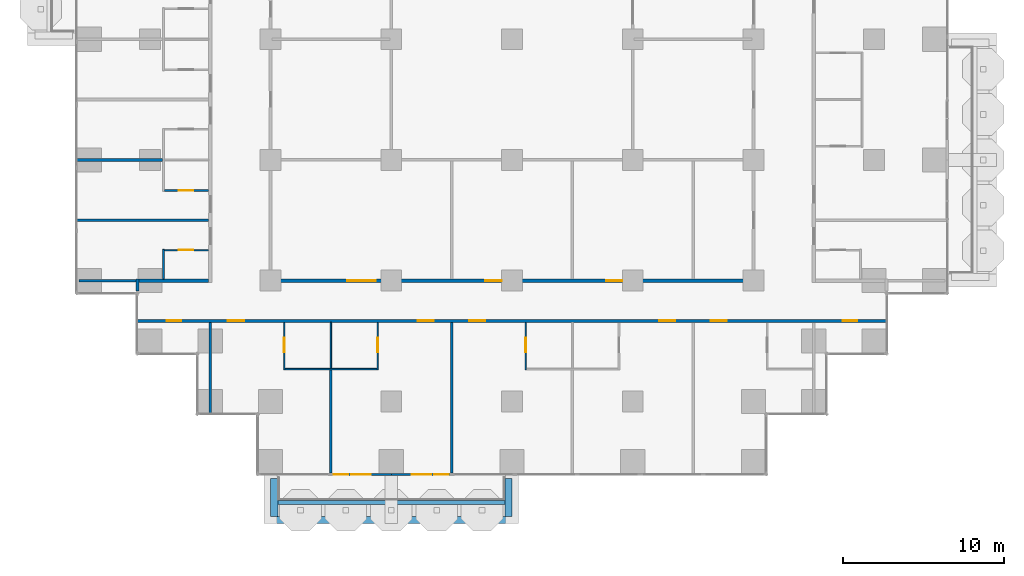
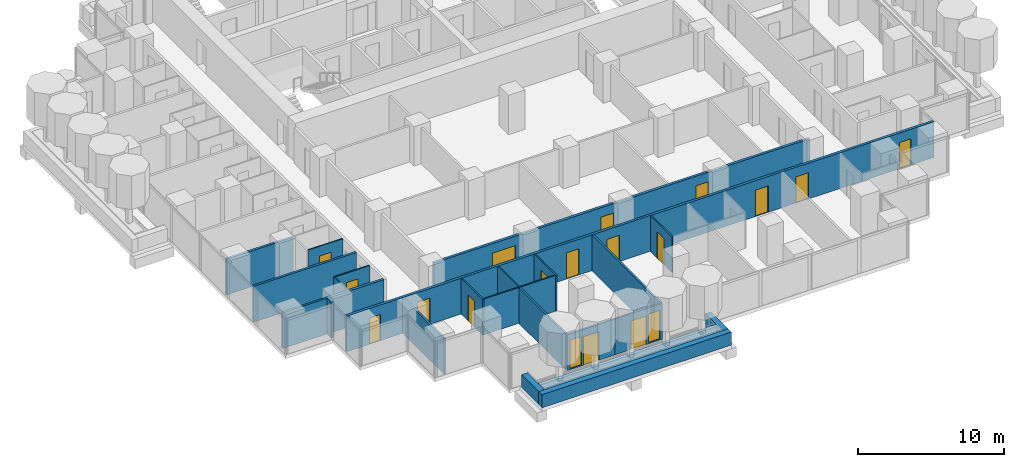
# One storey, part 10 of 18: 24 walls, 17 doors, 2 windows, 19 openings.
"""IFC4 building model written with IfcOpenShell, lengths in metres."""

from ifc_helpers import new_model, si_unit, direction, frame, frame_2d, origin, place, context, subcontext, project, spatial, rectangle, extrude, material, layer, layer_set, type_object, element, fill, save


model = new_model("IFC4")

# Units and contexts
model_context = context("Model", 3, precision=1e-05, world=origin(), true_north=direction((0.0, 1.0)))
body_context = subcontext(model_context, "Body", "Model", "MODEL_VIEW")
ifc_project = project(units=[si_unit("LENGTHUNIT", "METRE"), si_unit("AREAUNIT", "SQUARE_METRE"), si_unit("VOLUMEUNIT", "CUBIC_METRE"), si_unit("PLANEANGLEUNIT", "RADIAN"), si_unit("MASSUNIT", "GRAM", prefix="KILO")], contexts=[model_context])

# Site, building, storey
site_placement = place(None, origin())
site = spatial("IfcSite", under=ifc_project, at=site_placement, CompositionType="ELEMENT")
building_placement = place(site_placement, origin())
building = spatial("IfcBuilding", under=site, at=building_placement, Name="Pilkhan Gate Tower", CompositionType="ELEMENT")
storey_placement = place(building_placement, frame((0.0, 0.0, 75.800048828125)))
storey = spatial("IfcBuildingStorey", under=building, at=storey_placement, Name="L17", CompositionType="ELEMENT", Elevation=75.800048828125)

# Walls
ifc_material_1 = material(Name="Dense blockwork", Category="masonry")
ifc_layer_1 = layer(ifc_material_1, 0.175048828125)
ifc_layer_set_1 = layer_set([ifc_layer_1], Name="Acoustic party wall PW175")
wall_type_1 = type_object("IfcWallType", Name="Acoustic party wall PW175", PredefinedType="PARTITIONING", material=ifc_layer_set_1)
wall_1_placement = place(storey_placement, frame((47.985107421875, 56.25, 0.0), z_axis=(0.0, 0.0, 1.0), x_axis=(1.0, 0.0, 0.0)))
element("IfcWall", 1, at=wall_1_placement, inside=storey, type_object=wall_type_1, Name="Partition L17", PredefinedType="PARTITIONING", context=body_context, shape_type="SweptSolid", body=[
    extrude(rectangle(XDim=8.164794921875, YDim=0.175048828125, at=frame_2d((4.08251953125, 0.0))), origin(), (0.0, 0.0, 1.0), 3.0),
])
wall_2_placement = place(storey_placement, frame((47.985107421875, 60.0, 0.0), z_axis=(0.0, 0.0, 1.0), x_axis=(1.0, 0.0, 0.0)))
element("IfcWall", 2, at=wall_2_placement, inside=storey, type_object=wall_type_1, Name="Partition L17", PredefinedType="PARTITIONING", context=body_context, shape_type="SweptSolid", body=[
    extrude(rectangle(XDim=5.31494140625, YDim=0.175048828125, at=frame_2d((2.657470703125, 0.0))), origin(), (0.0, 0.0, 1.0), 3.0),
])
ifc_material_2 = material(Name="Concrete C40/50", Category="concrete")
ifc_layer_2 = layer(ifc_material_2, 0.25)
ifc_layer_set_2 = layer_set([ifc_layer_2], Name="Balcony planter BP250")
wall_type_2 = type_object("IfcWallType", Name="Balcony planter BP250", PredefinedType="USERDEFINED", material=ifc_layer_set_2)
wall_3_placement = place(storey_placement, frame((60.449951171875, 38.72509765625, 0.0), z_axis=(0.0, 0.0, 1.0), x_axis=(1.0, 0.0, 0.0)))
element("IfcWall", 3, at=wall_3_placement, inside=storey, type_object=wall_type_2, Name="Balcony planter L17 S", ObjectType="BALCONY PLANTER", PredefinedType="USERDEFINED", context=body_context, shape_type="SweptSolid", body=[
    extrude(rectangle(XDim=14.10009765625, YDim=0.25, at=frame_2d((7.050048828125, 0.0))), origin(), (0.0, 0.0, 1.0), 1.0),
])
ifc_material_3 = material(Name="Board-marked Concrete C40/50", Category="concrete")
ifc_layer_3 = layer(ifc_material_3, 0.449951171875)
ifc_layer_set_3 = layer_set([ifc_layer_3], Name="Balcony planter lip BL450")
wall_type_3 = type_object("IfcWallType", Name="Balcony planter lip BL450", PredefinedType="USERDEFINED", material=ifc_layer_set_3)
wall_4_placement = place(storey_placement, frame((60.0, 37.625, 0.0), z_axis=(0.0, 0.0, 1.0), x_axis=(1.0, 0.0, 0.0)))
element("IfcWall", 4, at=wall_4_placement, inside=storey, type_object=wall_type_3, Name="Balcony planter L17 S", ObjectType="BALCONY PLANTER", PredefinedType="USERDEFINED", context=body_context, shape_type="SweptSolid", body=[
    extrude(rectangle(XDim=15.0, YDim=0.449951171875, at=frame_2d((7.5, 0.0))), origin(), (0.0, 0.0, 1.0), 1.099853515625),
])
for number, where, z_axis, x_axis, name in (
    (5, (60.22509765625, 40.199951171875, 0.0), (0.0, 0.0, 1.0), (0.0, -1.0, 0.0), "Balcony planter L17 S"),
    (6, (74.77490234375, 40.199951171875, 0.0), (0.0, 0.0, 1.0), (0.0, -1.0, 0.0), "Balcony planter L17 S"),
):
    element("IfcWall", number, at=place(storey_placement, frame(where, z_axis=z_axis, x_axis=x_axis)), inside=storey, type_object=wall_type_3, Name=name, ObjectType="BALCONY PLANTER", PredefinedType="USERDEFINED", context=body_context, shape_type="SweptSolid", body=[
        extrude(rectangle(XDim=2.349853515625, YDim=0.449951171875, at=frame_2d((1.1748046875, 0.0))), origin(), (0.0, 0.0, 1.0), 1.099853515625),
    ])

# Wall, openings, doors
ifc_layer_4 = layer(ifc_material_1, 0.199951171875)
ifc_layer_set_4 = layer_set([ifc_layer_4], Name="Corridor wall FW200")
wall_type_4 = type_object("IfcWallType", Name="Corridor wall FW200", PredefinedType="PARTITIONING", material=ifc_layer_set_4)
wall_5_placement = place(storey_placement, frame((51.735107421875, 50.0, 0.0), z_axis=(0.0, 0.0, 1.0), x_axis=(1.0, 0.0, 0.0)))
wall_5 = element("IfcWall", 7, at=wall_5_placement, inside=storey, type_object=wall_type_4, Name="Partition L17", PredefinedType="PARTITIONING", context=body_context, shape_type="SweptSolid", body=[
    extrude(rectangle(XDim=46.52978515625, YDim=0.199951171875, at=frame_2d((23.264892578125, 0.0))), origin(), (0.0, 0.0, 1.0), 3.0),
])
opening_1_placement = place(wall_5_placement, frame((5.614990234375, 0.0, 0.0)))
opening_1 = element("IfcOpeningElement", 8, at=opening_1_placement, cuts=wall_5, Name="Opening L17-06", PredefinedType="OPENING", context=body_context, shape_type="SweptSolid", body=[
    extrude(rectangle(XDim=1.0, YDim=2.199951171875, at=frame_2d((0.5, 1.10009765625))), frame((0.0, 0.10986328125, 0.0), z_axis=(0.0, -1.0, 0.0), x_axis=(1.0, 0.0, 0.0)), (0.0, 0.0, 1.0), 0.219970703125),
])
opening_2_placement = place(wall_5_placement, frame((17.4150390625, 0.0, 0.0)))
opening_2 = element("IfcOpeningElement", 9, at=opening_2_placement, cuts=wall_5, Name="Opening L17-08", PredefinedType="OPENING", context=body_context, shape_type="SweptSolid", body=[
    extrude(rectangle(XDim=1.0, YDim=2.199951171875, at=frame_2d((0.5, 1.10009765625))), frame((0.0, 0.10986328125, 0.0), z_axis=(0.0, -1.0, 0.0), x_axis=(1.0, 0.0, 0.0)), (0.0, 0.0, 1.0), 0.219970703125),
])
opening_3_placement = place(wall_5_placement, frame((20.614990234375, 0.0, 0.0)))
opening_3 = element("IfcOpeningElement", 10, at=opening_3_placement, cuts=wall_5, Name="Opening L17-10", PredefinedType="OPENING", context=body_context, shape_type="SweptSolid", body=[
    extrude(rectangle(XDim=1.0, YDim=2.199951171875, at=frame_2d((0.5, 1.10009765625))), frame((0.0, 0.10986328125, 0.0), z_axis=(0.0, -1.0, 0.0), x_axis=(1.0, 0.0, 0.0)), (0.0, 0.0, 1.0), 0.219970703125),
])
opening_4_placement = place(wall_5_placement, frame((32.4150390625, 0.0, 0.0)))
opening_4 = element("IfcOpeningElement", 11, at=opening_4_placement, cuts=wall_5, Name="Opening L17-12", PredefinedType="OPENING", context=body_context, shape_type="SweptSolid", body=[
    extrude(rectangle(XDim=1.0, YDim=2.199951171875, at=frame_2d((0.5, 1.10009765625))), frame((0.0, 0.10986328125, 0.0), z_axis=(0.0, -1.0, 0.0), x_axis=(1.0, 0.0, 0.0)), (0.0, 0.0, 1.0), 0.219970703125),
])
opening_5_placement = place(wall_5_placement, frame((35.614990234375, 0.0, 0.0)))
opening_5 = element("IfcOpeningElement", 12, at=opening_5_placement, cuts=wall_5, Name="Opening L17-14", PredefinedType="OPENING", context=body_context, shape_type="SweptSolid", body=[
    extrude(rectangle(XDim=1.0, YDim=2.199951171875, at=frame_2d((0.5, 1.10009765625))), frame((0.0, 0.10986328125, 0.0), z_axis=(0.0, -1.0, 0.0), x_axis=(1.0, 0.0, 0.0)), (0.0, 0.0, 1.0), 0.219970703125),
])
opening_6_placement = place(wall_5_placement, frame((1.800048828125, 0.0, 0.0)))
opening_6 = element("IfcOpeningElement", 13, at=opening_6_placement, cuts=wall_5, Name="Opening L17-48", PredefinedType="OPENING", context=body_context, shape_type="SweptSolid", body=[
    extrude(rectangle(XDim=0.89990234375, YDim=2.199951171875, at=frame_2d((0.449951171875, 1.10009765625))), frame((0.0, 0.10986328125, 0.0), z_axis=(0.0, -1.0, 0.0), x_axis=(1.0, 0.0, 0.0)), (0.0, 0.0, 1.0), 0.219970703125),
])
opening_7_placement = place(wall_5_placement, frame((43.81494140625, 0.0, 0.0)))
opening_7 = element("IfcOpeningElement", 14, at=opening_7_placement, cuts=wall_5, Name="Opening L17-49", PredefinedType="OPENING", context=body_context, shape_type="SweptSolid", body=[
    extrude(rectangle(XDim=0.89990234375, YDim=2.199951171875, at=frame_2d((0.449951171875, 1.10009765625))), frame((0.0, 0.10986328125, 0.0), z_axis=(0.0, -1.0, 0.0), x_axis=(1.0, 0.0, 0.0)), (0.0, 0.0, 1.0), 0.219970703125),
])
ifc_material_4 = material(Name="Timber flush door, 30 minute fire resisting", Category="wood")
door_type_1 = type_object("IfcDoorType", Name="Guest room door D01 1000x2200", OperationType="SINGLE_SWING_LEFT", PredefinedType="DOOR", material=ifc_material_4)
door_1_placement = place(opening_1_placement, origin())
door_1 = element("IfcDoor", 15, at=door_1_placement, inside=storey, type_object=door_type_1, Name="Guest room door", OperationType="SINGLE_SWING_LEFT", OverallHeight=2.199951171875, OverallWidth=1.0, PredefinedType="DOOR", context=body_context, shape_type="SweptSolid", body=[
    extrude(rectangle(XDim=1.0, YDim=2.199951171875, at=frame_2d((0.5, 1.10009765625))), frame((0.0, 0.02490234375, 0.0), z_axis=(0.0, -1.0, 0.0), x_axis=(1.0, 0.0, 0.0)), (0.0, 0.0, 1.0), 0.050048828125),
])
fill(opening_1, door_1)
door_2_placement = place(opening_2_placement, origin())
door_2 = element("IfcDoor", 16, at=door_2_placement, inside=storey, type_object=door_type_1, Name="Guest room door", OperationType="SINGLE_SWING_LEFT", OverallHeight=2.199951171875, OverallWidth=1.0, PredefinedType="DOOR", context=body_context, shape_type="SweptSolid", body=[
    extrude(rectangle(XDim=1.0, YDim=2.199951171875, at=frame_2d((0.5, 1.10009765625))), frame((0.0, 0.02490234375, 0.0), z_axis=(0.0, -1.0, 0.0), x_axis=(1.0, 0.0, 0.0)), (0.0, 0.0, 1.0), 0.050048828125),
])
fill(opening_2, door_2)
door_3_placement = place(opening_3_placement, origin())
door_3 = element("IfcDoor", 17, at=door_3_placement, inside=storey, type_object=door_type_1, Name="Guest room door", OperationType="SINGLE_SWING_LEFT", OverallHeight=2.199951171875, OverallWidth=1.0, PredefinedType="DOOR", context=body_context, shape_type="SweptSolid", body=[
    extrude(rectangle(XDim=1.0, YDim=2.199951171875, at=frame_2d((0.5, 1.10009765625))), frame((0.0, 0.02490234375, 0.0), z_axis=(0.0, -1.0, 0.0), x_axis=(1.0, 0.0, 0.0)), (0.0, 0.0, 1.0), 0.050048828125),
])
fill(opening_3, door_3)
door_4_placement = place(opening_4_placement, origin())
door_4 = element("IfcDoor", 18, at=door_4_placement, inside=storey, type_object=door_type_1, Name="Guest room door", OperationType="SINGLE_SWING_RIGHT", OverallHeight=2.199951171875, OverallWidth=1.0, PredefinedType="DOOR", context=body_context, shape_type="SweptSolid", body=[
    extrude(rectangle(XDim=1.0, YDim=2.199951171875, at=frame_2d((0.5, 1.10009765625))), frame((0.0, 0.02490234375, 0.0), z_axis=(0.0, -1.0, 0.0), x_axis=(1.0, 0.0, 0.0)), (0.0, 0.0, 1.0), 0.050048828125),
])
fill(opening_4, door_4)
door_5_placement = place(opening_5_placement, origin())
door_5 = element("IfcDoor", 19, at=door_5_placement, inside=storey, type_object=door_type_1, Name="Guest room door", OperationType="SINGLE_SWING_LEFT", OverallHeight=2.199951171875, OverallWidth=1.0, PredefinedType="DOOR", context=body_context, shape_type="SweptSolid", body=[
    extrude(rectangle(XDim=1.0, YDim=2.199951171875, at=frame_2d((0.5, 1.10009765625))), frame((0.0, 0.02490234375, 0.0), z_axis=(0.0, -1.0, 0.0), x_axis=(1.0, 0.0, 0.0)), (0.0, 0.0, 1.0), 0.050048828125),
])
fill(opening_5, door_5)
ifc_material_5 = material(Name="Timber flush door, 60 minute fire resisting, self-closing", Category="wood")
door_type_2 = type_object("IfcDoorType", Name="Store door D05 900x2200", OperationType="SINGLE_SWING_LEFT", PredefinedType="DOOR", material=ifc_material_5)
door_6_placement = place(opening_6_placement, origin())
door_6 = element("IfcDoor", 20, at=door_6_placement, inside=storey, type_object=door_type_2, Name="Store door", OperationType="SINGLE_SWING_LEFT", OverallHeight=2.199951171875, OverallWidth=0.89990234375, PredefinedType="DOOR", context=body_context, shape_type="SweptSolid", body=[
    extrude(rectangle(XDim=0.89990234375, YDim=2.199951171875, at=frame_2d((0.449951171875, 1.10009765625))), frame((0.0, 0.02490234375, 0.0), z_axis=(0.0, -1.0, 0.0), x_axis=(1.0, 0.0, 0.0)), (0.0, 0.0, 1.0), 0.050048828125),
])
fill(opening_6, door_6)
door_7_placement = place(opening_7_placement, origin())
door_7 = element("IfcDoor", 21, at=door_7_placement, inside=storey, type_object=door_type_2, Name="Store door", OperationType="SINGLE_SWING_LEFT", OverallHeight=2.199951171875, OverallWidth=0.89990234375, PredefinedType="DOOR", context=body_context, shape_type="SweptSolid", body=[
    extrude(rectangle(XDim=0.89990234375, YDim=2.199951171875, at=frame_2d((0.449951171875, 1.10009765625))), frame((0.0, 0.02490234375, 0.0), z_axis=(0.0, -1.0, 0.0), x_axis=(1.0, 0.0, 0.0)), (0.0, 0.0, 1.0), 0.050048828125),
])
fill(opening_7, door_7)

# Wall
wall_6_placement = place(storey_placement, frame((51.8349609375, 52.5, 0.0), z_axis=(0.0, 0.0, 1.0), x_axis=(1.0, 0.0, 0.0)))
element("IfcWall", 22, at=wall_6_placement, inside=storey, type_object=wall_type_4, Name="Partition L17", PredefinedType="PARTITIONING", context=body_context, shape_type="SweptSolid", body=[
    extrude(rectangle(XDim=4.31494140625, YDim=0.199951171875, at=frame_2d((2.157470703125, 0.0))), origin(), (0.0, 0.0, 1.0), 3.0),
])

# Wall, openings, doors
wall_7_placement = place(storey_placement, frame((60.10009765625, 52.5, 0.0), z_axis=(0.0, 0.0, 1.0), x_axis=(1.0, 0.0, 0.0)))
wall_7 = element("IfcWall", 23, at=wall_7_placement, inside=storey, type_object=wall_type_4, Name="Partition L17", PredefinedType="PARTITIONING", context=body_context, shape_type="SweptSolid", body=[
    extrude(rectangle(XDim=29.7998046875, YDim=0.199951171875, at=frame_2d((14.89990234375, 0.0))), origin(), (0.0, 0.0, 1.0), 3.0),
])
opening_8_placement = place(wall_7_placement, frame((4.64990234375, 0.0, 0.0)))
opening_8 = element("IfcOpeningElement", 24, at=opening_8_placement, cuts=wall_7, Name="Opening L17-52", PredefinedType="OPENING", context=body_context, shape_type="SweptSolid", body=[
    extrude(rectangle(XDim=1.800048828125, YDim=2.199951171875, at=frame_2d((0.89990234375, 1.10009765625))), frame((0.0, 0.10986328125, 0.0), z_axis=(0.0, -1.0, 0.0), x_axis=(1.0, 0.0, 0.0)), (0.0, 0.0, 1.0), 0.219970703125),
])
opening_9_placement = place(wall_7_placement, frame((13.25, 0.0, 0.0)))
opening_9 = element("IfcOpeningElement", 25, at=opening_9_placement, cuts=wall_7, Name="Opening L17-53", PredefinedType="OPENING", context=body_context, shape_type="SweptSolid", body=[
    extrude(rectangle(XDim=1.0, YDim=2.199951171875, at=frame_2d((0.5, 1.10009765625))), frame((0.0, 0.10986328125, 0.0), z_axis=(0.0, -1.0, 0.0), x_axis=(1.0, 0.0, 0.0)), (0.0, 0.0, 1.0), 0.219970703125),
])
opening_10_placement = place(wall_7_placement, frame((20.75, 0.0, 0.0)))
opening_10 = element("IfcOpeningElement", 26, at=opening_10_placement, cuts=wall_7, Name="Opening L17-54", PredefinedType="OPENING", context=body_context, shape_type="SweptSolid", body=[
    extrude(rectangle(XDim=1.0, YDim=2.199951171875, at=frame_2d((0.5, 1.10009765625))), frame((0.0, 0.10986328125, 0.0), z_axis=(0.0, -1.0, 0.0), x_axis=(1.0, 0.0, 0.0)), (0.0, 0.0, 1.0), 0.219970703125),
])
ifc_material_6 = material(Name="Timber glazed double door, 30 minute fire resisting", Category="wood")
door_type_3 = type_object("IfcDoorType", Name="Double door D04 1800x2200", OperationType="DOUBLE_DOOR_SINGLE_SWING", PredefinedType="DOOR", material=ifc_material_6)
door_8_placement = place(opening_8_placement, origin())
door_8 = element("IfcDoor", 27, at=door_8_placement, inside=storey, type_object=door_type_3, Name="Double door", OperationType="DOUBLE_DOOR_SINGLE_SWING", OverallHeight=2.199951171875, OverallWidth=1.800048828125, PredefinedType="DOOR", context=body_context, shape_type="SweptSolid", body=[
    extrude(rectangle(XDim=1.800048828125, YDim=2.199951171875, at=frame_2d((0.89990234375, 1.10009765625))), frame((0.0, 0.02490234375, 0.0), z_axis=(0.0, -1.0, 0.0), x_axis=(1.0, 0.0, 0.0)), (0.0, 0.0, 1.0), 0.050048828125),
])
fill(opening_8, door_8)
door_type_4 = type_object("IfcDoorType", Name="Room door D03 1000x2200", OperationType="SINGLE_SWING_LEFT", PredefinedType="DOOR", material=ifc_material_4)
door_9_placement = place(opening_9_placement, origin())
door_9 = element("IfcDoor", 28, at=door_9_placement, inside=storey, type_object=door_type_4, Name="Room door", OperationType="SINGLE_SWING_LEFT", OverallHeight=2.199951171875, OverallWidth=1.0, PredefinedType="DOOR", context=body_context, shape_type="SweptSolid", body=[
    extrude(rectangle(XDim=1.0, YDim=2.199951171875, at=frame_2d((0.5, 1.10009765625))), frame((0.0, 0.02490234375, 0.0), z_axis=(0.0, -1.0, 0.0), x_axis=(1.0, 0.0, 0.0)), (0.0, 0.0, 1.0), 0.050048828125),
])
fill(opening_9, door_9)
door_10_placement = place(opening_10_placement, origin())
door_10 = element("IfcDoor", 29, at=door_10_placement, inside=storey, type_object=door_type_4, Name="Room door", OperationType="SINGLE_SWING_RIGHT", OverallHeight=2.199951171875, OverallWidth=1.0, PredefinedType="DOOR", context=body_context, shape_type="SweptSolid", body=[
    extrude(rectangle(XDim=1.0, YDim=2.199951171875, at=frame_2d((0.5, 1.10009765625))), frame((0.0, 0.02490234375, 0.0), z_axis=(0.0, -1.0, 0.0), x_axis=(1.0, 0.0, 0.0)), (0.0, 0.0, 1.0), 0.050048828125),
])
fill(opening_10, door_10)

# Wall
wall_8_placement = place(storey_placement, frame((51.735107421875, 51.85498046875, 0.0), z_axis=(0.0, 0.0, 1.0), x_axis=(0.0, 1.0, 0.0)))
element("IfcWall", 30, at=wall_8_placement, inside=storey, type_object=wall_type_4, Name="Partition L17", PredefinedType="PARTITIONING", context=body_context, shape_type="SweptSolid", body=[
    extrude(rectangle(XDim=0.7451171875, YDim=0.199951171875, at=frame_2d((0.37255859375, 0.0))), origin(), (0.0, 0.0, 1.0), 3.0),
])

# Wall, openings, door, window
ifc_material_7 = material(Name="Pale anodised aluminium, clear laminated glazing", Category="aluminium")
ifc_layer_5 = layer(ifc_material_7, 0.14990234375)
ifc_layer_set_5 = layer_set([ifc_layer_5], Name="Facade infill wall IW150")
wall_type_5 = type_object("IfcWallType", Name="Facade infill wall IW150", PredefinedType="SOLIDWALL", material=ifc_layer_set_5)
wall_9_placement = place(storey_placement, frame((63.75, 40.455078125, 0.0), z_axis=(0.0, 0.0, 1.0), x_axis=(1.0, 0.0, 0.0)))
wall_9 = element("IfcWall", 31, at=wall_9_placement, inside=storey, type_object=wall_type_5, Name="Infill wall L17 S", PredefinedType="SOLIDWALL", context=body_context, shape_type="SweptSolid", body=[
    extrude(rectangle(XDim=3.75, YDim=0.14990234375, at=frame_2d((1.875, 0.0))), origin(), (0.0, 0.0, 1.0), 3.0),
])
opening_11_placement = place(wall_9_placement, frame((0.1875, 0.0, 0.10009765625)))
opening_11 = element("IfcOpeningElement", 32, at=opening_11_placement, cuts=wall_9, Name="Opening W1", PredefinedType="OPENING", context=body_context, shape_type="SweptSolid", body=[
    extrude(rectangle(XDim=0.89990234375, YDim=2.39990234375, at=frame_2d((0.449951171875, 1.199951171875))), frame((0.0, 0.0849609375, 0.0), z_axis=(0.0, -1.0, 0.0), x_axis=(1.0, 0.0, 0.0)), (0.0, 0.0, 1.0), 0.169921875),
])
opening_12_placement = place(wall_9_placement, frame((1.27490234375, 0.0, 0.0)))
opening_12 = element("IfcOpeningElement", 33, at=opening_12_placement, cuts=wall_9, Name="Opening D1", PredefinedType="OPENING", context=body_context, shape_type="SweptSolid", body=[
    extrude(rectangle(XDim=1.199951171875, YDim=2.39990234375, at=frame_2d((0.60009765625, 1.199951171875))), frame((0.0, 0.0849609375, 0.0), z_axis=(0.0, -1.0, 0.0), x_axis=(1.0, 0.0, 0.0)), (0.0, 0.0, 1.0), 0.169921875),
])
ifc_material_8 = material(Name="Pale anodised aluminium, clear glazing", Category="aluminium")
door_type_5 = type_object("IfcDoorType", Name="Balcony door D1 1200x2400", OperationType="SINGLE_SWING_LEFT", PredefinedType="DOOR", material=ifc_material_8)
door_11_placement = place(opening_12_placement, origin())
door_11 = element("IfcDoor", 34, at=door_11_placement, inside=storey, type_object=door_type_5, Name="Balcony door L17", OperationType="SINGLE_SWING_LEFT", OverallHeight=2.39990234375, OverallWidth=1.199951171875, PredefinedType="DOOR", context=body_context, shape_type="SweptSolid", body=[
    extrude(rectangle(XDim=1.199951171875, YDim=2.39990234375, at=frame_2d((0.60009765625, 1.199951171875))), frame((0.0, 0.02490234375, 0.0), z_axis=(0.0, -1.0, 0.0), x_axis=(1.0, 0.0, 0.0)), (0.0, 0.0, 1.0), 0.050048828125),
])
fill(opening_12, door_11)
ifc_material_9 = material(Name="Pale anodised aluminium, clear double glazing", Category="aluminium")
window_type = type_object("IfcWindowType", Name="Window W1 900x2400", PartitioningType="SINGLE_PANEL", PredefinedType="WINDOW", material=ifc_material_9)
window_1_placement = place(opening_11_placement, origin())
window_1 = element("IfcWindow", 35, at=window_1_placement, inside=storey, type_object=window_type, Name="Window L17", OverallHeight=2.39990234375, OverallWidth=0.89990234375, PartitioningType="SINGLE_PANEL", PredefinedType="WINDOW", context=body_context, shape_type="SweptSolid", body=[
    extrude(rectangle(XDim=0.89990234375, YDim=2.39990234375, at=frame_2d((0.449951171875, 1.199951171875))), frame((0.0, 0.030029296875, 0.0), z_axis=(0.0, -1.0, 0.0), x_axis=(1.0, 0.0, 0.0)), (0.0, 0.0, 1.0), 0.06005859375),
])
fill(opening_11, window_1)

wall_10_placement = place(storey_placement, frame((67.5, 40.455078125, 0.0), z_axis=(0.0, 0.0, 1.0), x_axis=(1.0, 0.0, 0.0)))
wall_10 = element("IfcWall", 36, at=wall_10_placement, inside=storey, type_object=wall_type_5, Name="Infill wall L17 S", PredefinedType="SOLIDWALL", context=body_context, shape_type="SweptSolid", body=[
    extrude(rectangle(XDim=3.75, YDim=0.14990234375, at=frame_2d((1.875, 0.0))), origin(), (0.0, 0.0, 1.0), 3.0),
])
opening_13_placement = place(wall_10_placement, frame((1.27490234375, 0.0, 0.0)))
opening_13 = element("IfcOpeningElement", 37, at=opening_13_placement, cuts=wall_10, Name="Opening D1", PredefinedType="OPENING", context=body_context, shape_type="SweptSolid", body=[
    extrude(rectangle(XDim=1.199951171875, YDim=2.39990234375, at=frame_2d((0.60009765625, 1.199951171875))), frame((0.0, 0.0849609375, 0.0), z_axis=(0.0, -1.0, 0.0), x_axis=(1.0, 0.0, 0.0)), (0.0, 0.0, 1.0), 0.169921875),
])
opening_14_placement = place(wall_10_placement, frame((2.66259765625, 0.0, 0.10009765625)))
opening_14 = element("IfcOpeningElement", 38, at=opening_14_placement, cuts=wall_10, Name="Opening W1", PredefinedType="OPENING", context=body_context, shape_type="SweptSolid", body=[
    extrude(rectangle(XDim=0.89990234375, YDim=2.39990234375, at=frame_2d((0.449951171875, 1.199951171875))), frame((0.0, 0.0849609375, 0.0), z_axis=(0.0, -1.0, 0.0), x_axis=(1.0, 0.0, 0.0)), (0.0, 0.0, 1.0), 0.169921875),
])
door_12_placement = place(opening_13_placement, origin())
door_12 = element("IfcDoor", 39, at=door_12_placement, inside=storey, type_object=door_type_5, Name="Balcony door L17", OperationType="SINGLE_SWING_LEFT", OverallHeight=2.39990234375, OverallWidth=1.199951171875, PredefinedType="DOOR", context=body_context, shape_type="SweptSolid", body=[
    extrude(rectangle(XDim=1.199951171875, YDim=2.39990234375, at=frame_2d((0.60009765625, 1.199951171875))), frame((0.0, 0.02490234375, 0.0), z_axis=(0.0, -1.0, 0.0), x_axis=(1.0, 0.0, 0.0)), (0.0, 0.0, 1.0), 0.050048828125),
])
fill(opening_13, door_12)
window_2_placement = place(opening_14_placement, origin())
window_2 = element("IfcWindow", 40, at=window_2_placement, inside=storey, type_object=window_type, Name="Window L17", OverallHeight=2.39990234375, OverallWidth=0.89990234375, PartitioningType="SINGLE_PANEL", PredefinedType="WINDOW", context=body_context, shape_type="SweptSolid", body=[
    extrude(rectangle(XDim=0.89990234375, YDim=2.39990234375, at=frame_2d((0.449951171875, 1.199951171875))), frame((0.0, 0.030029296875, 0.0), z_axis=(0.0, -1.0, 0.0), x_axis=(1.0, 0.0, 0.0)), (0.0, 0.0, 1.0), 0.06005859375),
])
fill(opening_14, window_2)

# Walls
ifc_material_10 = material(Name="Blockwork partition, plastered both sides", Category="masonry")
ifc_layer_6 = layer(ifc_material_10, 0.14990234375)
ifc_layer_set_6 = layer_set([ifc_layer_6], Name="Partition PW150")
wall_type_6 = type_object("IfcWallType", Name="Partition PW150", PredefinedType="PARTITIONING", material=ifc_layer_set_6)
wall_11_placement = place(storey_placement, frame((48.10498046875, 52.5, 0.0), z_axis=(0.0, 0.0, 1.0), x_axis=(1.0, 0.0, 0.0)))
element("IfcWall", 41, at=wall_11_placement, inside=storey, type_object=wall_type_6, Name="Partition L17", PredefinedType="PARTITIONING", context=body_context, shape_type="SweptSolid", body=[
    extrude(rectangle(XDim=3.530029296875, YDim=0.14990234375, at=frame_2d((1.76513671875, 0.0))), origin(), (0.0, 0.0, 1.0), 3.0),
])
wall_12_placement = place(storey_placement, frame((56.25, 44.235107421875, 0.0), z_axis=(0.0, 0.0, 1.0), x_axis=(0.0, 1.0, 0.0)))
element("IfcWall", 42, at=wall_12_placement, inside=storey, type_object=wall_type_6, Name="Partition L17", PredefinedType="PARTITIONING", context=body_context, shape_type="SweptSolid", body=[
    extrude(rectangle(XDim=5.664794921875, YDim=0.14990234375, at=frame_2d((2.83251953125, 0.0))), origin(), (0.0, 0.0, 1.0), 3.0),
])
wall_13_placement = place(storey_placement, frame((63.75, 40.5400390625, 0.0), z_axis=(0.0, 0.0, 1.0), x_axis=(0.0, 1.0, 0.0)))
element("IfcWall", 43, at=wall_13_placement, inside=storey, type_object=wall_type_6, Name="Partition L17", PredefinedType="PARTITIONING", context=body_context, shape_type="SweptSolid", body=[
    extrude(rectangle(XDim=6.409912109375, YDim=0.14990234375, at=frame_2d((3.205078125, 0.0))), origin(), (0.0, 0.0, 1.0), 3.0),
])
wall_14_placement = place(storey_placement, frame((71.25, 40.5400390625, 0.0), z_axis=(0.0, 0.0, 1.0), x_axis=(0.0, 1.0, 0.0)))
element("IfcWall", 44, at=wall_14_placement, inside=storey, type_object=wall_type_6, Name="Partition L17", PredefinedType="PARTITIONING", context=body_context, shape_type="SweptSolid", body=[
    extrude(rectangle(XDim=9.35986328125, YDim=0.14990234375, at=frame_2d((4.679931640625, 0.0))), origin(), (0.0, 0.0, 1.0), 3.0),
])
ifc_material_11 = material(Name="Moisture resistant board, tiled")
ifc_layer_7 = layer(ifc_material_11, 0.10009765625)
ifc_layer_set_7 = layer_set([ifc_layer_7], Name="Wet wall PW100")
wall_type_7 = type_object("IfcWallType", Name="Wet wall PW100", PredefinedType="PARTITIONING", material=ifc_layer_set_7)
wall_15_placement = place(storey_placement, frame((60.89990234375, 47.0, 0.0), z_axis=(0.0, 0.0, 1.0), x_axis=(1.0, 0.0, 0.0)))
element("IfcWall", 45, at=wall_15_placement, inside=storey, type_object=wall_type_7, Name="Partition L17", PredefinedType="PARTITIONING", context=body_context, shape_type="SweptSolid", body=[
    extrude(rectangle(XDim=5.7001953125, YDim=0.10009765625, at=frame_2d((2.85009765625, 0.0))), origin(), (0.0, 0.0, 1.0), 3.0),
])

# Wall, opening, door
wall_16_placement = place(storey_placement, frame((53.39990234375, 54.39990234375, 0.0), z_axis=(0.0, 0.0, 1.0), x_axis=(1.0, 0.0, 0.0)))
wall_16 = element("IfcWall", 46, at=wall_16_placement, inside=storey, type_object=wall_type_7, Name="Partition L17", PredefinedType="PARTITIONING", context=body_context, shape_type="SweptSolid", body=[
    extrude(rectangle(XDim=2.75, YDim=0.10009765625, at=frame_2d((1.375, 0.0))), origin(), (0.0, 0.0, 1.0), 3.0),
])
opening_15_placement = place(wall_16_placement, frame((0.89990234375, 0.0, 0.0)))
opening_15 = element("IfcOpeningElement", 47, at=opening_15_placement, cuts=wall_16, Name="Opening L17-17", PredefinedType="OPENING", context=body_context, shape_type="SweptSolid", body=[
    extrude(rectangle(XDim=0.89990234375, YDim=2.199951171875, at=frame_2d((0.449951171875, 1.10009765625))), frame((0.0, 0.06005859375, 0.0), z_axis=(0.0, -1.0, 0.0), x_axis=(1.0, 0.0, 0.0)), (0.0, 0.0, 1.0), 0.1201171875),
])
ifc_material_12 = material(Name="Timber flush door", Category="wood")
door_type_6 = type_object("IfcDoorType", Name="Bathroom door D02 900x2200", OperationType="SINGLE_SWING_RIGHT", PredefinedType="DOOR", material=ifc_material_12)
door_13_placement = place(opening_15_placement, origin())
door_13 = element("IfcDoor", 48, at=door_13_placement, inside=storey, type_object=door_type_6, Name="Bathroom door", OperationType="SINGLE_SWING_RIGHT", OverallHeight=2.199951171875, OverallWidth=0.89990234375, PredefinedType="DOOR", context=body_context, shape_type="SweptSolid", body=[
    extrude(rectangle(XDim=0.89990234375, YDim=2.199951171875, at=frame_2d((0.449951171875, 1.10009765625))), frame((0.0, 0.02490234375, 0.0), z_axis=(0.0, -1.0, 0.0), x_axis=(1.0, 0.0, 0.0)), (0.0, 0.0, 1.0), 0.050048828125),
])
fill(opening_15, door_13)

wall_17_placement = place(storey_placement, frame((53.39990234375, 58.10009765625, 0.0), z_axis=(0.0, 0.0, 1.0), x_axis=(1.0, 0.0, 0.0)))
wall_17 = element("IfcWall", 49, at=wall_17_placement, inside=storey, type_object=wall_type_7, Name="Partition L17", PredefinedType="PARTITIONING", context=body_context, shape_type="SweptSolid", body=[
    extrude(rectangle(XDim=2.75, YDim=0.10009765625, at=frame_2d((1.375, 0.0))), origin(), (0.0, 0.0, 1.0), 3.0),
])
opening_16_placement = place(wall_17_placement, frame((0.89990234375, 0.0, 0.0)))
opening_16 = element("IfcOpeningElement", 50, at=opening_16_placement, cuts=wall_17, Name="Opening L17-19", PredefinedType="OPENING", context=body_context, shape_type="SweptSolid", body=[
    extrude(rectangle(XDim=0.89990234375, YDim=2.199951171875, at=frame_2d((0.449951171875, 1.10009765625))), frame((0.0, 0.06005859375, 0.0), z_axis=(0.0, -1.0, 0.0), x_axis=(1.0, 0.0, 0.0)), (0.0, 0.0, 1.0), 0.1201171875),
])
door_14_placement = place(opening_16_placement, origin())
door_14 = element("IfcDoor", 51, at=door_14_placement, inside=storey, type_object=door_type_6, Name="Bathroom door", OperationType="SINGLE_SWING_RIGHT", OverallHeight=2.199951171875, OverallWidth=0.89990234375, PredefinedType="DOOR", context=body_context, shape_type="SweptSolid", body=[
    extrude(rectangle(XDim=0.89990234375, YDim=2.199951171875, at=frame_2d((0.449951171875, 1.10009765625))), frame((0.0, 0.02490234375, 0.0), z_axis=(0.0, -1.0, 0.0), x_axis=(1.0, 0.0, 0.0)), (0.0, 0.0, 1.0), 0.050048828125),
])
fill(opening_16, door_14)

# Wall
wall_18_placement = place(storey_placement, frame((53.35009765625, 52.60009765625, 0.0), z_axis=(0.0, 0.0, 1.0), x_axis=(0.0, 1.0, 0.0)))
element("IfcWall", 52, at=wall_18_placement, inside=storey, type_object=wall_type_7, Name="Partition L17", PredefinedType="PARTITIONING", context=body_context, shape_type="SweptSolid", body=[
    extrude(rectangle(XDim=1.849853515625, YDim=0.10009765625, at=frame_2d((0.9248046875, 0.0))), origin(), (0.0, 0.0, 1.0), 3.0),
])

# Wall, opening, door
wall_19_placement = place(storey_placement, frame((60.85009765625, 46.949951171875, 0.0), z_axis=(0.0, 0.0, 1.0), x_axis=(0.0, 1.0, 0.0)))
wall_19 = element("IfcWall", 53, at=wall_19_placement, inside=storey, type_object=wall_type_7, Name="Partition L17", PredefinedType="PARTITIONING", context=body_context, shape_type="SweptSolid", body=[
    extrude(rectangle(XDim=2.949951171875, YDim=0.10009765625, at=frame_2d((1.47509765625, 0.0))), origin(), (0.0, 0.0, 1.0), 3.0),
])
opening_17_placement = place(wall_19_placement, frame((1.10009765625, 0.0, 0.0)))
opening_17 = element("IfcOpeningElement", 54, at=opening_17_placement, cuts=wall_19, Name="Opening L17-07", PredefinedType="OPENING", context=body_context, shape_type="SweptSolid", body=[
    extrude(rectangle(XDim=0.89990234375, YDim=2.199951171875, at=frame_2d((0.449951171875, 1.10009765625))), frame((0.0, 0.06005859375, 0.0), z_axis=(0.0, -1.0, 0.0), x_axis=(1.0, 0.0, 0.0)), (0.0, 0.0, 1.0), 0.1201171875),
])
door_15_placement = place(opening_17_placement, origin())
door_15 = element("IfcDoor", 55, at=door_15_placement, inside=storey, type_object=door_type_6, Name="Bathroom door", OperationType="SINGLE_SWING_RIGHT", OverallHeight=2.199951171875, OverallWidth=0.89990234375, PredefinedType="DOOR", context=body_context, shape_type="SweptSolid", body=[
    extrude(rectangle(XDim=0.89990234375, YDim=2.199951171875, at=frame_2d((0.449951171875, 1.10009765625))), frame((0.0, 0.02490234375, 0.0), z_axis=(0.0, -1.0, 0.0), x_axis=(1.0, 0.0, 0.0)), (0.0, 0.0, 1.0), 0.050048828125),
])
fill(opening_17, door_15)

# Wall
wall_20_placement = place(storey_placement, frame((63.75, 47.050048828125, 0.0), z_axis=(0.0, 0.0, 1.0), x_axis=(0.0, 1.0, 0.0)))
element("IfcWall", 56, at=wall_20_placement, inside=storey, type_object=wall_type_7, Name="Partition L17", PredefinedType="PARTITIONING", context=body_context, shape_type="SweptSolid", body=[
    extrude(rectangle(XDim=2.849853515625, YDim=0.10009765625, at=frame_2d((1.4248046875, 0.0))), origin(), (0.0, 0.0, 1.0), 3.0),
])

# Wall, opening, door
wall_21_placement = place(storey_placement, frame((66.64990234375, 46.949951171875, 0.0), z_axis=(0.0, 0.0, 1.0), x_axis=(0.0, 1.0, 0.0)))
wall_21 = element("IfcWall", 57, at=wall_21_placement, inside=storey, type_object=wall_type_7, Name="Partition L17", PredefinedType="PARTITIONING", context=body_context, shape_type="SweptSolid", body=[
    extrude(rectangle(XDim=2.949951171875, YDim=0.10009765625, at=frame_2d((1.47509765625, 0.0))), origin(), (0.0, 0.0, 1.0), 3.0),
])
opening_18_placement = place(wall_21_placement, frame((1.10009765625, 0.0, 0.0)))
opening_18 = element("IfcOpeningElement", 58, at=opening_18_placement, cuts=wall_21, Name="Opening L17-09", PredefinedType="OPENING", context=body_context, shape_type="SweptSolid", body=[
    extrude(rectangle(XDim=0.89990234375, YDim=2.199951171875, at=frame_2d((0.449951171875, 1.10009765625))), frame((0.0, 0.06005859375, 0.0), z_axis=(0.0, -1.0, 0.0), x_axis=(1.0, 0.0, 0.0)), (0.0, 0.0, 1.0), 0.1201171875),
])
door_16_placement = place(opening_18_placement, origin())
door_16 = element("IfcDoor", 59, at=door_16_placement, inside=storey, type_object=door_type_6, Name="Bathroom door", OperationType="SINGLE_SWING_RIGHT", OverallHeight=2.199951171875, OverallWidth=0.89990234375, PredefinedType="DOOR", context=body_context, shape_type="SweptSolid", body=[
    extrude(rectangle(XDim=0.89990234375, YDim=2.199951171875, at=frame_2d((0.449951171875, 1.10009765625))), frame((0.0, 0.02490234375, 0.0), z_axis=(0.0, -1.0, 0.0), x_axis=(1.0, 0.0, 0.0)), (0.0, 0.0, 1.0), 0.050048828125),
])
fill(opening_18, door_16)

wall_22_placement = place(storey_placement, frame((75.85009765625, 46.949951171875, 0.0), z_axis=(0.0, 0.0, 1.0), x_axis=(0.0, 1.0, 0.0)))
wall_22 = element("IfcWall", 60, at=wall_22_placement, inside=storey, type_object=wall_type_7, Name="Partition L17", PredefinedType="PARTITIONING", context=body_context, shape_type="SweptSolid", body=[
    extrude(rectangle(XDim=2.949951171875, YDim=0.10009765625, at=frame_2d((1.47509765625, 0.0))), origin(), (0.0, 0.0, 1.0), 3.0),
])
opening_19_placement = place(wall_22_placement, frame((1.10009765625, 0.0, 0.0)))
opening_19 = element("IfcOpeningElement", 61, at=opening_19_placement, cuts=wall_22, Name="Opening L17-11", PredefinedType="OPENING", context=body_context, shape_type="SweptSolid", body=[
    extrude(rectangle(XDim=0.89990234375, YDim=2.199951171875, at=frame_2d((0.449951171875, 1.10009765625))), frame((0.0, 0.06005859375, 0.0), z_axis=(0.0, -1.0, 0.0), x_axis=(1.0, 0.0, 0.0)), (0.0, 0.0, 1.0), 0.1201171875),
])
door_17_placement = place(opening_19_placement, origin())
door_17 = element("IfcDoor", 62, at=door_17_placement, inside=storey, type_object=door_type_6, Name="Bathroom door", OperationType="SINGLE_SWING_RIGHT", OverallHeight=2.199951171875, OverallWidth=0.89990234375, PredefinedType="DOOR", context=body_context, shape_type="SweptSolid", body=[
    extrude(rectangle(XDim=0.89990234375, YDim=2.199951171875, at=frame_2d((0.449951171875, 1.10009765625))), frame((0.0, 0.02490234375, 0.0), z_axis=(0.0, -1.0, 0.0), x_axis=(1.0, 0.0, 0.0)), (0.0, 0.0, 1.0), 0.050048828125),
])
fill(opening_19, door_17)

save(model, "model.ifc")
